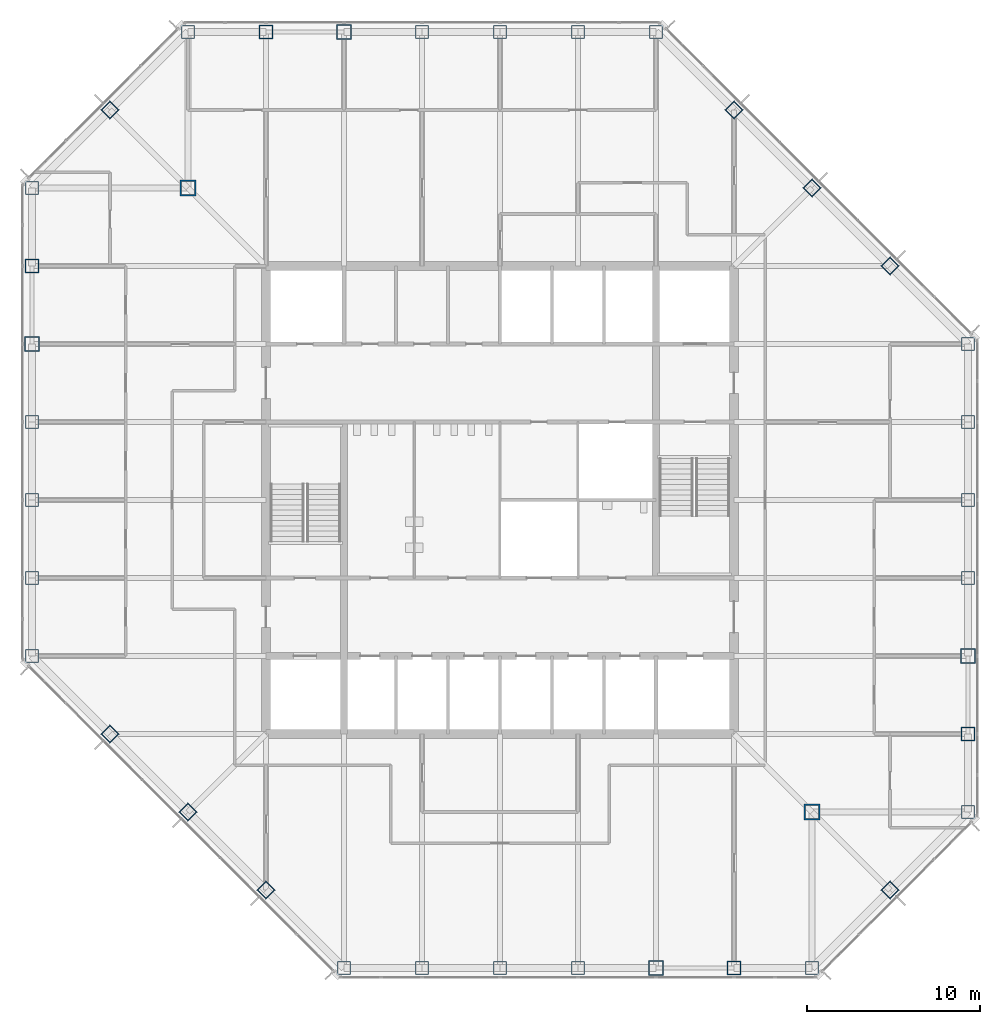
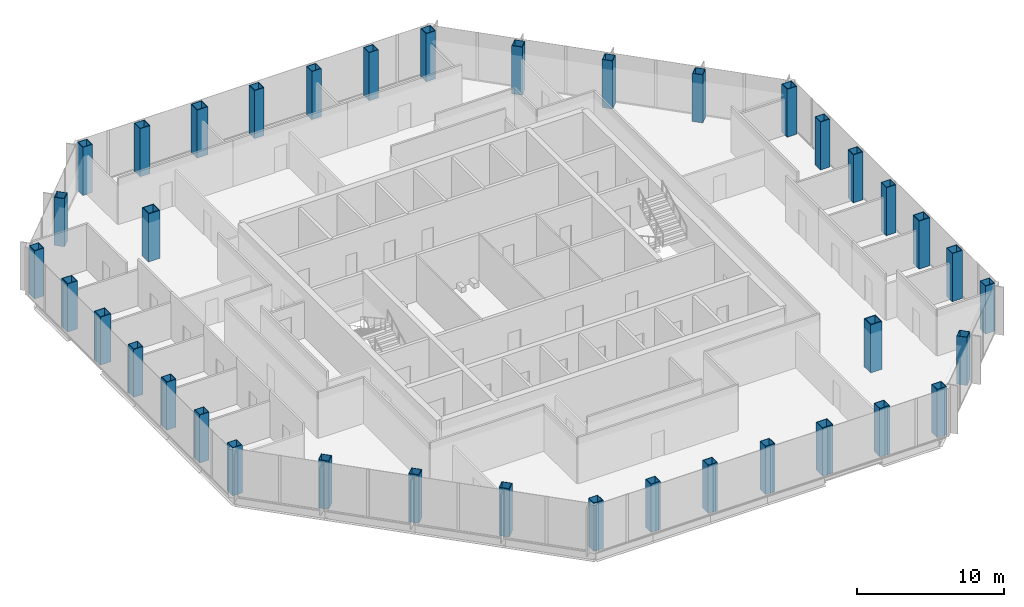
# One storey, part 1 of 13: 38 columns.
"""IFC4 building model written with IfcOpenShell, lengths in metres."""

from ifc_helpers import new_model, si_unit, direction, frame, origin, origin_2d, place, context, subcontext, project, spatial, hollow_rectangle, extrude, material, material_profile, profile_set, type_object, element, save


model = new_model("IFC4")

# Units and contexts
model_context = context("Model", 3, precision=1e-05, world=origin(), true_north=direction((0.0, 1.0)))
body_context = subcontext(model_context, "Body", "Model", "MODEL_VIEW")
ifc_project = project(units=[si_unit("LENGTHUNIT", "METRE"), si_unit("AREAUNIT", "SQUARE_METRE"), si_unit("VOLUMEUNIT", "CUBIC_METRE"), si_unit("PLANEANGLEUNIT", "RADIAN"), si_unit("MASSUNIT", "GRAM", prefix="KILO")], contexts=[model_context])

# Site, building, storey
site_placement = place(None, origin())
site = spatial("IfcSite", under=ifc_project, at=site_placement, CompositionType="ELEMENT")
building_placement = place(site_placement, origin())
building = spatial("IfcBuilding", under=site, at=building_placement, Name="Corais Broadcast Tower", CompositionType="ELEMENT")
storey_placement = place(building_placement, frame((0.0, 0.0, 191.60009765625)))
storey = spatial("IfcBuildingStorey", under=building, at=storey_placement, Name="L44", CompositionType="ELEMENT", Elevation=191.60009765625)

# Columns
ifc_material_1 = material(Name="Steel ASTM A572 Grade 50", Category="steel")
ifc_material_profile_1 = material_profile(ifc_material_1, hollow_rectangle(XDim=0.75, YDim=0.75, WallThickness=0.0400390625, at=origin_2d()), Name="BOX 750x750x40")
ifc_profile_set_1 = profile_set([ifc_material_profile_1], Name="Steel ASTM A572 Grade 50")
column_type_1 = type_object("IfcColumnType", Name="Column BOX 750x750x40", PredefinedType="COLUMN", material=ifc_profile_set_1)
for number, where, z_axis, x_axis, name in (
    (1, (18.0, 0.0, 0.0), (0.0, 0.0, 1.0), (1.0, 0.0, 0.0), "C4 A/7"),
    (2, (22.5, 0.0, 0.0), (0.0, 0.0, 1.0), (1.0, 0.0, 0.0), "C4 A/8"),
    (3, (27.0, 0.0, 0.0), (0.0, 0.0, 1.0), (1.0, 0.0, 0.0), "C4 A/9"),
    (4, (31.5, 0.0, 0.0), (0.0, 0.0, 1.0), (1.0, 0.0, 0.0), "C4 A/10"),
    (5, (45.0, 0.0, 0.0), (0.0, 0.0, 1.0), (1.0, 0.0, 0.0), "C4 A/13"),
    (6, (54.0, 9.0, 0.0), (0.0, 0.0, 1.0), (1.0, 0.0, 0.0), "C4 C/15"),
    (7, (54.0, 22.5, 0.0), (0.0, 0.0, 1.0), (1.0, 0.0, 0.0), "C4 F/15"),
    (8, (54.0, 27.0, 0.0), (0.0, 0.0, 1.0), (1.0, 0.0, 0.0), "C4 G/15"),
    (9, (54.0, 31.5, 0.0), (0.0, 0.0, 1.0), (1.0, 0.0, 0.0), "C4 H/15"),
    (10, (54.0, 36.0, 0.0), (0.0, 0.0, 1.0), (1.0, 0.0, 0.0), "C4 J/15"),
    (11, (36.0, 54.0, 0.0), (0.0, 0.0, 1.0), (1.0, 0.0, 0.0), "C4 N/11"),
    (12, (31.5, 54.0, 0.0), (0.0, 0.0, 1.0), (1.0, 0.0, 0.0), "C4 N/10"),
    (13, (27.0, 54.0, 0.0), (0.0, 0.0, 1.0), (1.0, 0.0, 0.0), "C4 N/9"),
    (14, (22.5, 54.0, 0.0), (0.0, 0.0, 1.0), (1.0, 0.0, 0.0), "C4 N/8"),
    (15, (9.0, 54.0, 0.0), (0.0, 0.0, 1.0), (1.0, 0.0, 0.0), "C4 N/5"),
    (16, (0.0, 45.0, 0.0), (0.0, 0.0, 1.0), (1.0, 0.0, 0.0), "C4 L/3"),
    (17, (0.0, 31.5, 0.0), (0.0, 0.0, 1.0), (1.0, 0.0, 0.0), "C4 H/3"),
    (18, (0.0, 27.0, 0.0), (0.0, 0.0, 1.0), (1.0, 0.0, 0.0), "C4 G/3"),
    (19, (0.0, 22.5, 0.0), (0.0, 0.0, 1.0), (1.0, 0.0, 0.0), "C4 F/3"),
    (20, (0.0, 18.0, 0.0), (0.0, 0.0, 1.0), (1.0, 0.0, 0.0), "C4 E/3"),
    (21, (13.5, 4.5, 0.0), (0.0, 0.0, 1.0), (0.707106781187, 0.707106781187, 0.0), "C4 B/6"),
    (22, (9.0, 9.0, 0.0), (0.0, 0.0, 1.0), (0.707106781187, 0.707106781187, 0.0), "C4 C/5"),
    (23, (4.5, 13.5, 0.0), (0.0, 0.0, 1.0), (0.707106781187, 0.707106781187, 0.0), "C4 D/4"),
    (24, (49.5, 4.5, 0.0), (0.0, 0.0, 1.0), (0.707106781187, 0.707106781187, 0.0), "C4 B/14"),
    (25, (49.5, 40.5, 0.0), (0.0, 0.0, 1.0), (0.707106781187, 0.707106781187, 0.0), "C4 K/14"),
    (26, (45.0, 45.0, 0.0), (0.0, 0.0, 1.0), (0.707106781187, 0.707106781187, 0.0), "C4 L/13"),
    (27, (40.5, 49.5, 0.0), (0.0, 0.0, 1.0), (0.707106781187, 0.707106781187, 0.0), "C4 M/12"),
    (28, (4.5, 49.5, 0.0), (0.0, 0.0, 1.0), (0.707106781187, 0.707106781187, 0.0), "C4 M/4"),
):
    element("IfcColumn", number, at=place(storey_placement, frame(where, z_axis=z_axis, x_axis=x_axis)), inside=storey, type_object=column_type_1, Name=name, PredefinedType="COLUMN", context=body_context, shape_type="SweptSolid", body=[
        extrude(hollow_rectangle(XDim=0.75, YDim=0.75, WallThickness=0.0400390625, at=origin_2d()), origin(), (0.0, 0.0, 1.0), 4.0),
    ])
ifc_material_2 = material(Name="Steel ASTM A572 Grade 50", Category="steel")
ifc_material_profile_2 = material_profile(ifc_material_2, hollow_rectangle(XDim=0.800048828125, YDim=0.800048828125, WallThickness=0.044921875, at=origin_2d()), Name="BOX 800x800x45")
ifc_profile_set_2 = profile_set([ifc_material_profile_2], Name="Steel ASTM A572 Grade 50")
column_type_2 = type_object("IfcColumnType", Name="Column BOX 800x800x45", PredefinedType="COLUMN", material=ifc_profile_set_2)
for number, where, z_axis, x_axis, name in (
    (29, (40.5, 0.0, 0.0), (0.0, 0.0, 1.0), (1.0, 0.0, 0.0), "C3 A/12"),
    (30, (54.0, 13.5, 0.0), (0.0, 0.0, 1.0), (1.0, 0.0, 0.0), "C3 D/15"),
    (31, (13.5, 54.0, 0.0), (0.0, 0.0, 1.0), (1.0, 0.0, 0.0), "C3 N/6"),
    (32, (0.0, 40.5, 0.0), (0.0, 0.0, 1.0), (1.0, 0.0, 0.0), "C3 K/3"),
):
    element("IfcColumn", number, at=place(storey_placement, frame(where, z_axis=z_axis, x_axis=x_axis)), inside=storey, type_object=column_type_2, Name=name, PredefinedType="COLUMN", context=body_context, shape_type="SweptSolid", body=[
        extrude(hollow_rectangle(XDim=0.800048828125, YDim=0.800048828125, WallThickness=0.044921875, at=origin_2d()), origin(), (0.0, 0.0, 1.0), 4.0),
    ])
ifc_material_3 = material(Name="Steel ASTM A572 Grade 50", Category="steel")
ifc_material_profile_3 = material_profile(ifc_material_3, hollow_rectangle(XDim=0.85009765625, YDim=0.85009765625, WallThickness=0.050048828125, at=origin_2d()), Name="BOX 850x850x50")
ifc_profile_set_3 = profile_set([ifc_material_profile_3], Name="Steel ASTM A572 Grade 50")
column_type_3 = type_object("IfcColumnType", Name="Column BOX 850x850x50", PredefinedType="COLUMN", material=ifc_profile_set_3)
for number, where, z_axis, x_axis, name in (
    (33, (36.0, 0.0, 0.0), (0.0, 0.0, 1.0), (1.0, 0.0, 0.0), "C1 A/11"),
    (34, (54.0, 18.0, 0.0), (0.0, 0.0, 1.0), (1.0, 0.0, 0.0), "C1 E/15"),
    (35, (18.0, 54.0, 0.0), (0.0, 0.0, 1.0), (1.0, 0.0, 0.0), "C1 N/7"),
    (36, (0.0, 36.0, 0.0), (0.0, 0.0, 1.0), (1.0, 0.0, 0.0), "C1 J/3"),
):
    element("IfcColumn", number, at=place(storey_placement, frame(where, z_axis=z_axis, x_axis=x_axis)), inside=storey, type_object=column_type_3, Name=name, PredefinedType="COLUMN", context=body_context, shape_type="SweptSolid", body=[
        extrude(hollow_rectangle(XDim=0.85009765625, YDim=0.85009765625, WallThickness=0.050048828125, at=origin_2d()), origin(), (0.0, 0.0, 1.0), 4.0),
    ])
ifc_material_4 = material(Name="Steel ASTM A572 Grade 50", Category="steel")
ifc_material_profile_4 = material_profile(ifc_material_4, hollow_rectangle(XDim=0.89990234375, YDim=0.89990234375, WallThickness=0.06298828125, at=origin_2d()), Name="BOX 900x900x63")
ifc_profile_set_4 = profile_set([ifc_material_profile_4], Name="Steel ASTM A572 Grade 50")
column_type_4 = type_object("IfcColumnType", Name="Column BOX 900x900x63", PredefinedType="COLUMN", material=ifc_profile_set_4)
for number, where, z_axis, x_axis, name in (
    (37, (45.0, 9.0, 0.0), (0.0, 0.0, 1.0), (1.0, 0.0, 0.0), "C2 C/13"),
    (38, (9.0, 45.0, 0.0), (0.0, 0.0, 1.0), (1.0, 0.0, 0.0), "C2 L/5"),
):
    element("IfcColumn", number, at=place(storey_placement, frame(where, z_axis=z_axis, x_axis=x_axis)), inside=storey, type_object=column_type_4, Name=name, PredefinedType="COLUMN", context=body_context, shape_type="SweptSolid", body=[
        extrude(hollow_rectangle(XDim=0.89990234375, YDim=0.89990234375, WallThickness=0.06298828125, at=origin_2d()), origin(), (0.0, 0.0, 1.0), 4.0),
    ])

save(model, "model.ifc")
